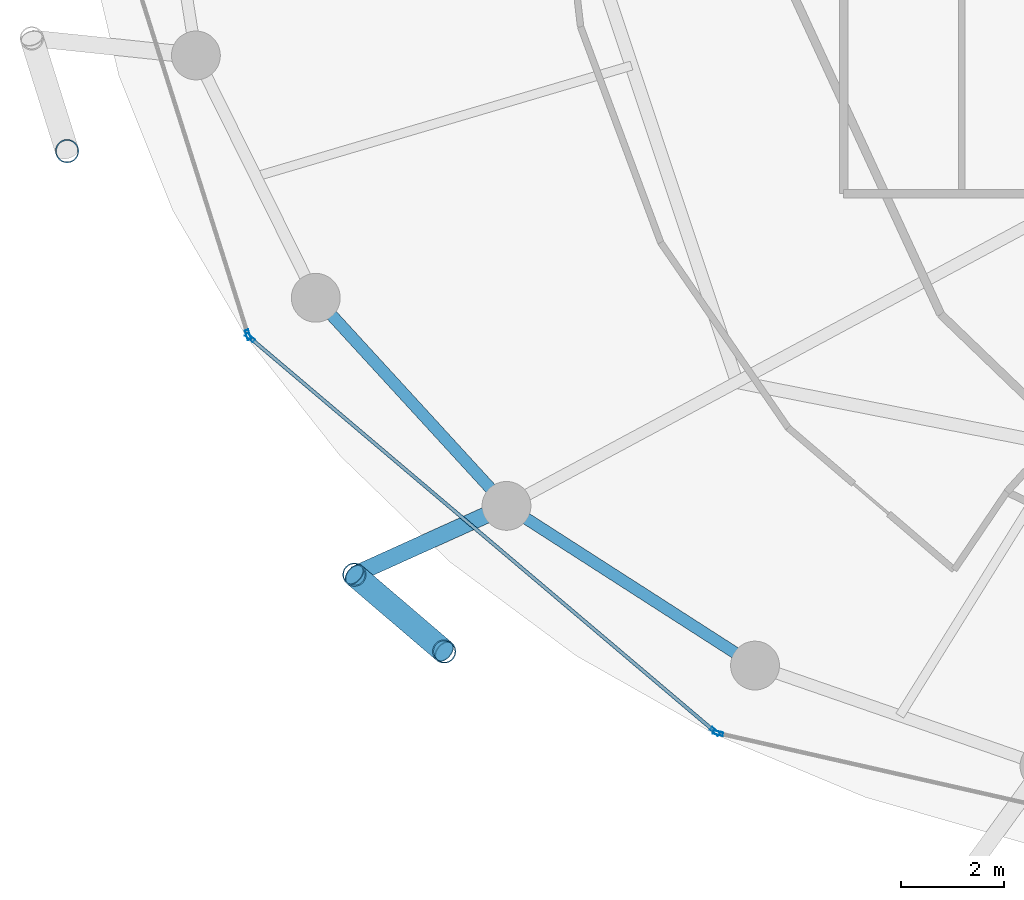
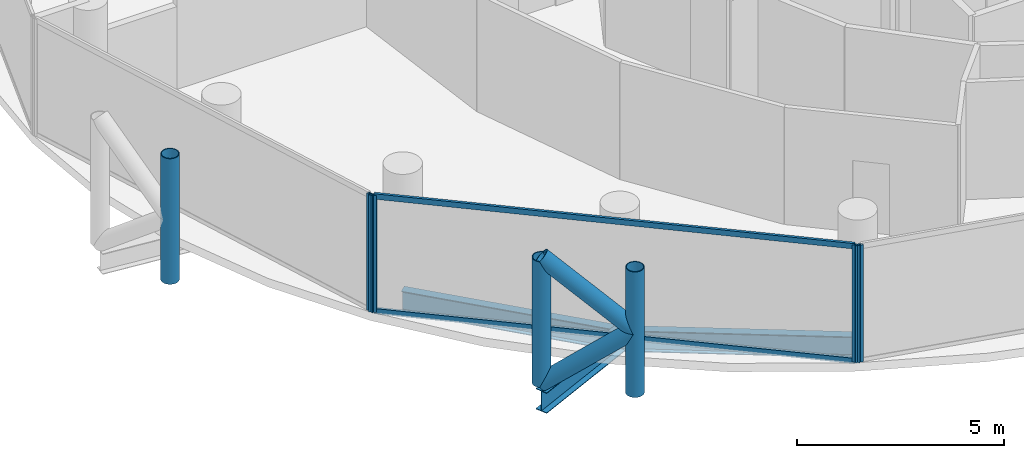
# One storey, part 2 of 26: 11 members, 3 beams, 3 elements without a shape of their own.
"""IFC4 building model written with IfcOpenShell, lengths in metres."""

from ifc_helpers import new_model, si_unit, direction, frame, origin, origin_2d, place, context, subcontext, project, spatial, hollow_rectangle, hollow_circle, i_section, extrude, material, layer, layer_set, material_profile, profile_set, type_object, element, aggregate, save


model = new_model("IFC4")

# Units and contexts
model_context = context("Model", 3, precision=1e-05, world=origin(), true_north=direction((0.0, 1.0)))
body_context = subcontext(model_context, "Body", "Model", "MODEL_VIEW")
ifc_project = project(units=[si_unit("LENGTHUNIT", "METRE"), si_unit("AREAUNIT", "SQUARE_METRE"), si_unit("VOLUMEUNIT", "CUBIC_METRE"), si_unit("PLANEANGLEUNIT", "RADIAN"), si_unit("MASSUNIT", "GRAM", prefix="KILO")], contexts=[model_context])

# Site, building, storey
site_placement = place(None, origin())
site = spatial("IfcSite", under=ifc_project, at=site_placement, CompositionType="ELEMENT")
building_placement = place(site_placement, origin())
building = spatial("IfcBuilding", under=site, at=building_placement, Name="Nuhasar Tower", CompositionType="ELEMENT")
storey_placement = place(building_placement, frame((0.0, 0.0, 181.14990234375)))
storey = spatial("IfcBuildingStorey", under=building, at=storey_placement, Name="L44", CompositionType="ELEMENT", Elevation=181.14990234375)

# Beams
ifc_material_1 = material(Name="Steel S355", Category="steel")
ifc_material_profile_1 = material_profile(ifc_material_1, i_section(OverallWidth=0.22998046875, OverallDepth=0.616943359375, WebThickness=0.01318359375, FlangeThickness=0.022216796875, at=origin_2d()), Name="W24X94")
ifc_profile_set_1 = profile_set([ifc_material_profile_1], Name="Steel S355")
beam_type_1 = type_object("IfcBeamType", Name="BM-RING-W24X94", PredefinedType="SPANDREL", material=ifc_profile_set_1)
beam_1_placement = place(storey_placement, frame((18.778076171875, 17.02490234375, -0.558837890625), z_axis=(0.675676316545, -0.737198423262, 0.0), x_axis=(0.737198423262, 0.675676316545, 0.0)))
element("IfcBeam", 1, at=beam_1_placement, inside=storey, type_object=beam_type_1, Name="L44 Perimeter Ring Spandrel 15", PredefinedType="SPANDREL", context=body_context, shape_type="SweptSolid", body=[
    extrude(i_section(OverallWidth=0.22998046875, OverallDepth=0.616943359375, WebThickness=0.01318359375, FlangeThickness=0.022216796875, at=origin_2d()), origin(), (0.0, 0.0, 1.0), 5.4921875),
])
beam_2_placement = place(storey_placement, frame((22.489013671875, 12.97607421875, -0.558837890625), z_axis=(0.841308170616, -0.540555789955, 0.0), x_axis=(0.540555789955, 0.841308170616, 0.0)))
element("IfcBeam", 2, at=beam_2_placement, inside=storey, type_object=beam_type_1, Name="L44 Perimeter Ring Spandrel 16", PredefinedType="SPANDREL", context=body_context, shape_type="SweptSolid", body=[
    extrude(i_section(OverallWidth=0.22998046875, OverallDepth=0.616943359375, WebThickness=0.01318359375, FlangeThickness=0.022216796875, at=origin_2d()), origin(), (0.0, 0.0, 1.0), 5.748046875),
])
ifc_material_profile_2 = material_profile(ifc_material_1, i_section(OverallWidth=0.323974609375, OverallDepth=0.611083984375, WebThickness=0.0126953125, FlangeThickness=0.01904296875, at=origin_2d()), Name="W24X104")
ifc_profile_set_2 = profile_set([ifc_material_profile_2], Name="Steel S355")
beam_type_2 = type_object("IfcBeamType", Name="BM-TIE-W24X104", PredefinedType="BEAM", material=ifc_profile_set_2)
beam_3_placement = place(storey_placement, frame((22.489013671875, 12.97607421875, -0.554931640625), z_axis=(-0.911211381786, -0.411939094653, 0.0), x_axis=(0.411939094653, -0.911211381786, 0.0)))
element("IfcBeam", 3, at=beam_3_placement, inside=storey, type_object=beam_type_2, Name="L44 Exoskeleton Node Tie Beam 08", PredefinedType="BEAM", context=body_context, shape_type="SweptSolid", body=[
    extrude(i_section(OverallWidth=0.323974609375, OverallDepth=0.611083984375, WebThickness=0.0126953125, FlangeThickness=0.01904296875, at=origin_2d()), origin(), (0.0, 0.0, 1.0), 3.248291015625),
])

# Curtain wall, member
ifc_material_2 = material(Name="Aluminium 6063-T6", Category="aluminium")
ifc_layer = layer(ifc_material_2, 0.199951171875)
ifc_layer_set = layer_set([ifc_layer], Name="Aluminium 6063-T6")
curtain_wall_type = type_object("IfcCurtainWallType", Name="CW-Z2-HTL", PredefinedType="NOTDEFINED", material=ifc_layer_set)
curtain_wall_1_placement = place(storey_placement, origin())
curtain_wall_1 = element("IfcCurtainWall", 4, at=curtain_wall_1_placement, inside=storey, type_object=curtain_wall_type, Name="L44 Unitised Curtain Wall 07", PredefinedType="NOTDEFINED")
ifc_material_profile_3 = material_profile(ifc_material_2, hollow_rectangle(XDim=0.070068359375, YDim=0.199951171875, WallThickness=0.0048828125, at=origin_2d()), Name="CWM-3")
ifc_profile_set_3 = profile_set([ifc_material_profile_3], Name="Aluminium 6063-T6")
member_type_1 = type_object("IfcMemberType", Name="CW-MUL-S3", PredefinedType="MULLION", material=ifc_profile_set_3)
member_1_placement = place(storey_placement, frame((17.46044921875, 16.303466796875, 0.0), z_axis=(0.0, 0.0, 1.0), x_axis=(0.953433389233, 0.301603667577, 0.0)))
member_1 = element("IfcMember", 5, at=member_1_placement, type_object=member_type_1, Name="CW-Z2 mullion 2", PredefinedType="MULLION", context=body_context, shape_type="SweptSolid", body=[
    extrude(hollow_rectangle(XDim=0.070068359375, YDim=0.199951171875, WallThickness=0.0048828125, at=origin_2d()), origin(), (0.0, 0.0, 1.0), 3.4501953125),
])
aggregate(curtain_wall_1, [member_1])

# Curtain wall, members
curtain_wall_2_placement = place(storey_placement, origin())
curtain_wall_2 = element("IfcCurtainWall", 6, at=curtain_wall_2_placement, inside=storey, type_object=curtain_wall_type, Name="L44 Unitised Curtain Wall 08", PredefinedType="NOTDEFINED")
member_2_placement = place(storey_placement, frame((17.497802734375, 16.247314453125, 0.0), z_axis=(0.0, 0.0, 1.0), x_axis=(0.646374438324, 0.763020370292, 0.0)))
member_2 = element("IfcMember", 7, at=member_2_placement, type_object=member_type_1, Name="CW-Z2 mullion 1", PredefinedType="MULLION", context=body_context, shape_type="SweptSolid", body=[
    extrude(hollow_rectangle(XDim=0.070068359375, YDim=0.199951171875, WallThickness=0.0048828125, at=origin_2d()), origin(), (0.0, 0.0, 1.0), 3.4501953125),
])
member_3_placement = place(storey_placement, frame((26.543212890625, 8.584716796875, 0.0), z_axis=(0.0, 0.0, 1.0), x_axis=(0.646374438324, 0.763020370292, 0.0)))
member_3 = element("IfcMember", 8, at=member_3_placement, type_object=member_type_1, Name="CW-Z2 mullion 2", PredefinedType="MULLION", context=body_context, shape_type="SweptSolid", body=[
    extrude(hollow_rectangle(XDim=0.070068359375, YDim=0.199951171875, WallThickness=0.0048828125, at=origin_2d()), origin(), (0.0, 0.0, 1.0), 3.4501953125),
])

# Curtain wall, member
curtain_wall_3_placement = place(storey_placement, origin())
curtain_wall_3 = element("IfcCurtainWall", 9, at=curtain_wall_3_placement, inside=storey, type_object=curtain_wall_type, Name="L44 Unitised Curtain Wall 09", PredefinedType="NOTDEFINED")
member_4_placement = place(storey_placement, frame((26.604248046875, 8.55419921875, 0.0), z_axis=(0.0, 0.0, 1.0), x_axis=(0.22139729566, 0.975183694221, 0.0)))
member_4 = element("IfcMember", 10, at=member_4_placement, type_object=member_type_1, Name="CW-Z2 mullion 1", PredefinedType="MULLION", context=body_context, shape_type="SweptSolid", body=[
    extrude(hollow_rectangle(XDim=0.070068359375, YDim=0.199951171875, WallThickness=0.0048828125, at=origin_2d()), origin(), (0.0, 0.0, 1.0), 3.4501953125),
])
aggregate(curtain_wall_3, [member_4])

# Member
ifc_material_profile_4 = material_profile(ifc_material_2, hollow_rectangle(XDim=0.070068359375, YDim=0.159912109375, WallThickness=0.00439453125, at=origin_2d()), Name="CWT-3")
ifc_profile_set_4 = profile_set([ifc_material_profile_4], Name="Aluminium 6063-T6")
member_type_2 = type_object("IfcMemberType", Name="CW-TRN-S3", PredefinedType="USERDEFINED", material=ifc_profile_set_4)
member_5_placement = place(storey_placement, frame((17.5244140625, 16.224853515625, 0.03515625), z_axis=(0.763013698099, -0.646382314511, 0.0), x_axis=(0.646382314511, 0.763013698099, 0.0)))
member_5 = element("IfcMember", 11, at=member_5_placement, type_object=member_type_2, Name="CW-Z2 transom 1.1", ObjectType="TRANSOM", PredefinedType="USERDEFINED", context=body_context, shape_type="SweptSolid", body=[
    extrude(hollow_rectangle(XDim=0.070068359375, YDim=0.159912109375, WallThickness=0.00439453125, at=origin_2d()), origin(), (0.0, 0.0, 1.0), 11.78515625),
])

member_6_placement = place(storey_placement, frame((17.5244140625, 16.224853515625, 3.4150390625), z_axis=(0.763013698099, -0.646382314511, 0.0), x_axis=(0.646382314511, 0.763013698099, 0.0)))
member_6 = element("IfcMember", 12, at=member_6_placement, type_object=member_type_2, Name="CW-Z2 transom 1.2", ObjectType="TRANSOM", PredefinedType="USERDEFINED", context=body_context, shape_type="SweptSolid", body=[
    extrude(hollow_rectangle(XDim=0.070068359375, YDim=0.159912109375, WallThickness=0.00439453125, at=origin_2d()), origin(), (0.0, 0.0, 1.0), 11.78515625),
])

aggregate(curtain_wall_2, [member_2, member_3, member_5, member_6])

# Members
ifc_material_3 = material(Name="Steel S460", Category="steel")
ifc_material_profile_5 = material_profile(ifc_material_3, hollow_circle(Radius=0.228515625, WallThickness=0.022216796875, at=origin_2d()), Name="HSS457X22.2")
ifc_profile_set_5 = profile_set([ifc_material_profile_5], Name="Steel S460")
member_type_3 = type_object("IfcMemberType", Name="EXO-BRONZE-457", PredefinedType="BRACE", material=ifc_profile_set_5)
for number, where, z_axis, x_axis, name in (
    (13, (13.93994140625, 19.87890625, 0.0), (0.0, 0.0, 1.0), (1.0, 0.0, 0.0), "L44 Exoskeleton Chord Column EC-07B"),
    (14, (19.529052734375, 11.637939453125, 0.0), (0.0, 0.0, 1.0), (1.0, 0.0, 0.0), "L44 Exoskeleton Chord Column EC-08A"),
    (15, (21.277099609375, 10.14306640625, 0.0), (0.0, 0.0, 1.0), (1.0, 0.0, 0.0), "L44 Exoskeleton Chord Column EC-08B"),
):
    element("IfcMember", number, at=place(storey_placement, frame(where, z_axis=z_axis, x_axis=x_axis)), inside=storey, type_object=member_type_3, Name=name, PredefinedType="BRACE", context=body_context, shape_type="SweptSolid", body=[
        extrude(hollow_circle(Radius=0.228515625, WallThickness=0.022216796875, at=origin_2d()), origin(), (0.0, 0.0, 1.0), 3.7001953125),
    ])
for number, where, z_axis, x_axis, name in (
    (16, (19.529052734375, 11.637939453125, 0.0), (0.592195175458, -0.506426125604, 0.626767463634), (0.649925557156, 0.7599978751, 0.0), "L44 Bronze Diagrid Brace W1-08"),
    (17, (21.277099609375, 10.14306640625, 1.85009765625), (-0.592195175458, 0.506426125604, 0.626767463634), (-0.649925557156, -0.7599978751, 0.0), "L44 Bronze Diagrid Brace W2-08"),
):
    element("IfcMember", number, at=place(storey_placement, frame(where, z_axis=z_axis, x_axis=x_axis)), inside=storey, type_object=member_type_3, Name=name, PredefinedType="BRACE", context=body_context, shape_type="SweptSolid", body=[
        extrude(hollow_circle(Radius=0.228515625, WallThickness=0.022216796875, at=origin_2d()), origin(), (0.0, 0.0, 1.0), 2.951904296875),
    ])

save(model, "model.ifc")
